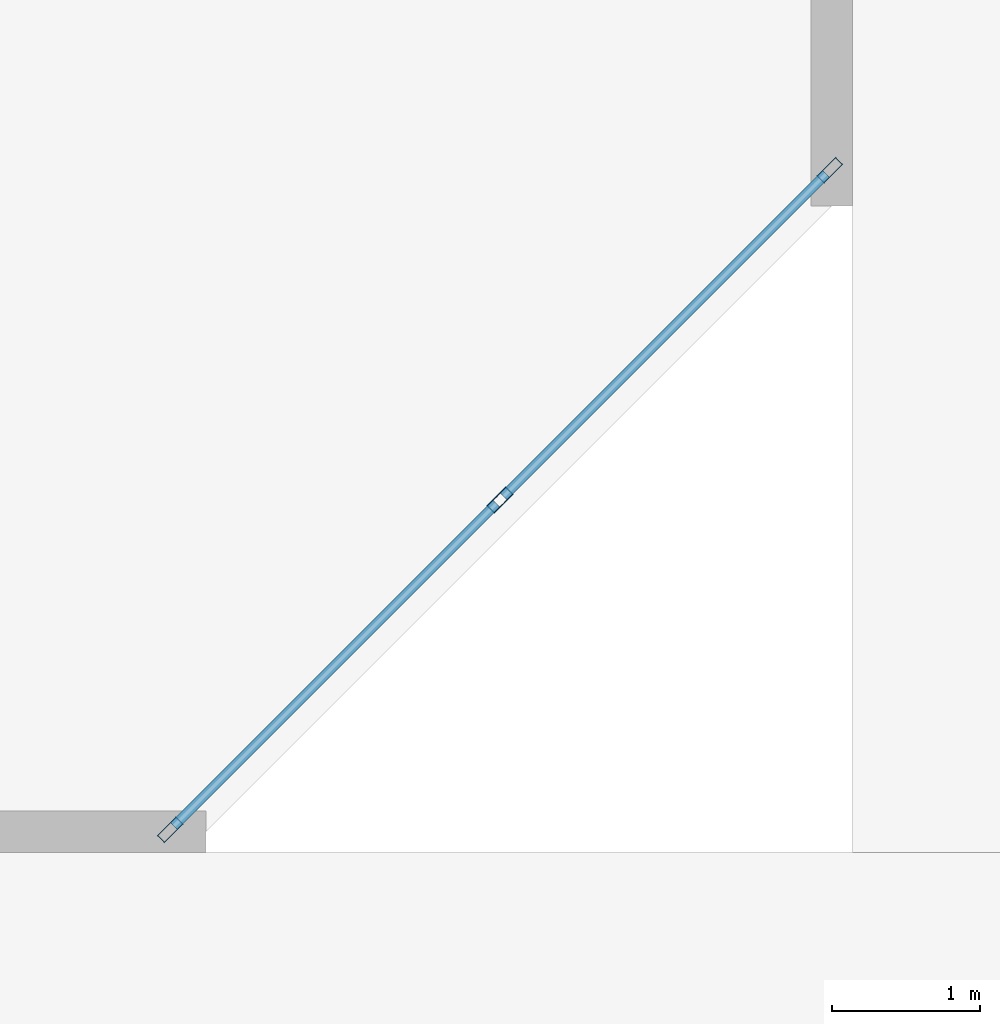
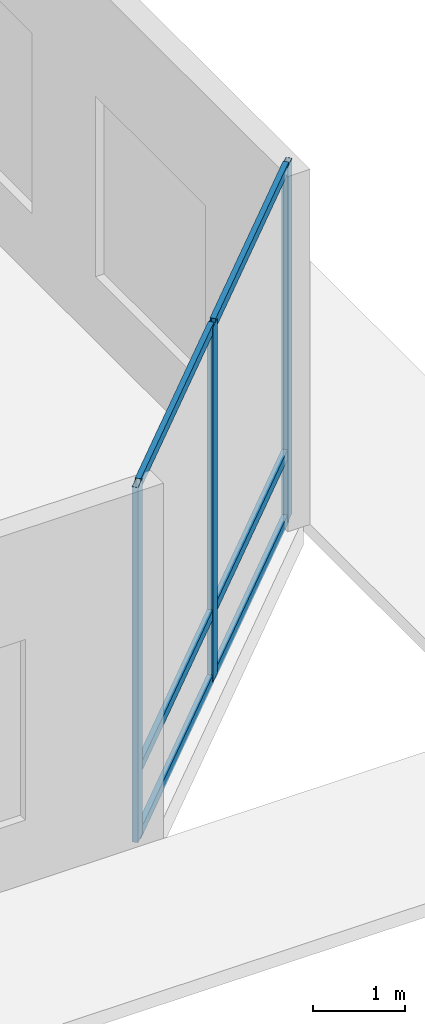
# One storey, part 6 of 23: 9 members, 1 element without a shape of its own.
"""IFC4 building model written with IfcOpenShell, lengths in metres."""

from ifc_helpers import new_model, si_unit, direction, frame, origin, origin_2d, place, context, subcontext, project, spatial, hollow_rectangle, extrude, material, layer, layer_set, material_profile, profile_set, type_object, element, aggregate, save


model = new_model("IFC4")

# Units and contexts
model_context = context("Model", 3, precision=1e-05, world=origin(), true_north=direction((0.0, 1.0)))
body_context = subcontext(model_context, "Body", "Model", "MODEL_VIEW")
ifc_project = project(units=[si_unit("LENGTHUNIT", "METRE"), si_unit("AREAUNIT", "SQUARE_METRE"), si_unit("VOLUMEUNIT", "CUBIC_METRE"), si_unit("PLANEANGLEUNIT", "RADIAN"), si_unit("MASSUNIT", "GRAM", prefix="KILO")], contexts=[model_context])

# Site, building, storey
site_placement = place(None, origin())
site = spatial("IfcSite", under=ifc_project, at=site_placement, CompositionType="ELEMENT")
building_placement = place(site_placement, origin())
building = spatial("IfcBuilding", under=site, at=building_placement, Name="Caelvoria Tower", CompositionType="ELEMENT")
storey_placement = place(building_placement, origin())
storey = spatial("IfcBuildingStorey", under=building, at=storey_placement, Name="L00", CompositionType="ELEMENT", Elevation=0.0)

# Curtain wall, members
ifc_material_1 = material(Name="Anodised Bronze Aluminium and Low-E Glass", Category="aluminium")
ifc_layer = layer(ifc_material_1, 0.199951171875, Name="Anodised Bronze Aluminium and Low-E Glass")
ifc_layer_set = layer_set([ifc_layer], Name="CW System 1 Podium Arcade Unitised Glazing - Anodised Bronze Aluminium and Low-E Glass")
curtain_wall_type = type_object("IfcCurtainWallType", Name="CW System 1 Podium Arcade Unitised Glazing", PredefinedType="NOTDEFINED", material=ifc_layer_set)
curtain_wall_placement = place(storey_placement, origin())
curtain_wall = element("IfcCurtainWall", 1, at=curtain_wall_placement, inside=storey, type_object=curtain_wall_type, Name="CW-01 Curtain Wall L00-E1", PredefinedType="NOTDEFINED")
ifc_material_2 = material(Name="Anodised Bronze Architectural Aluminium", Category="aluminium")
ifc_material_profile_1 = material_profile(ifc_material_2, hollow_rectangle(XDim=0.070068359375, YDim=0.179931640625, WallThickness=0.00390625, at=origin_2d()), Name="Anodised Bronze Architectural Aluminium")
ifc_profile_set_1 = profile_set([ifc_material_profile_1], Name="CW_MULL_70X180 - Anodised Bronze Architectural Aluminium")
member_type_1 = type_object("IfcMemberType", Name="Curtain Wall Mullion 70x180 Bronze Aluminium", PredefinedType="MULLION", material=ifc_profile_set_1)
member_1_placement = place(storey_placement, frame((85.3974609375, 2.152099609375, 0.0), z_axis=(0.0, 0.0, 1.0), x_axis=(-0.707106781187, 0.707106781187, 0.0)))
member_1 = element("IfcMember", 2, at=member_1_placement, type_object=member_type_1, Name="CW-01 mullion 1", PredefinedType="MULLION", context=body_context, shape_type="SweptSolid", body=[
    extrude(hollow_rectangle(XDim=0.070068359375, YDim=0.179931640625, WallThickness=0.00390625, at=origin_2d()), origin(), (0.0, 0.0, 1.0), 4.719970703125),
])
member_2_placement = place(storey_placement, frame((87.622802734375, 4.377197265625, 0.0), z_axis=(0.0, 0.0, 1.0), x_axis=(-0.707106781187, 0.707106781187, 0.0)))
member_2 = element("IfcMember", 3, at=member_2_placement, type_object=member_type_1, Name="CW-01 mullion 2", PredefinedType="MULLION", context=body_context, shape_type="SweptSolid", body=[
    extrude(hollow_rectangle(XDim=0.070068359375, YDim=0.179931640625, WallThickness=0.00390625, at=origin_2d()), origin(), (0.0, 0.0, 1.0), 4.719970703125),
])
member_3_placement = place(storey_placement, frame((89.847900390625, 6.6025390625, 0.0), z_axis=(0.0, 0.0, 1.0), x_axis=(-0.707106781187, 0.707106781187, 0.0)))
member_3 = element("IfcMember", 4, at=member_3_placement, type_object=member_type_1, Name="CW-01 mullion 3", PredefinedType="MULLION", context=body_context, shape_type="SweptSolid", body=[
    extrude(hollow_rectangle(XDim=0.070068359375, YDim=0.179931640625, WallThickness=0.00390625, at=origin_2d()), origin(), (0.0, 0.0, 1.0), 4.719970703125),
])
ifc_material_profile_2 = material_profile(ifc_material_2, hollow_rectangle(XDim=0.06494140625, YDim=0.1298828125, WallThickness=0.00341796875, at=origin_2d()), Name="Anodised Bronze Architectural Aluminium")
ifc_profile_set_2 = profile_set([ifc_material_profile_2], Name="CW_TRAN_65X130 - Anodised Bronze Architectural Aluminium")
member_type_2 = type_object("IfcMemberType", Name="Curtain Wall Transom 65x130 Bronze Aluminium", PredefinedType="USERDEFINED", material=ifc_profile_set_2)
member_4_placement = place(storey_placement, frame((85.422119140625, 2.1767578125, 0.032470703125), z_axis=(0.707106781187, 0.707106781187, 0.0), x_axis=(-0.707106781187, 0.707106781187, 0.0)))
member_4 = element("IfcMember", 5, at=member_4_placement, type_object=member_type_2, Name="CW-01 transom 1.1", ObjectType="TRANSOM", PredefinedType="USERDEFINED", context=body_context, shape_type="SweptSolid", body=[
    extrude(hollow_rectangle(XDim=0.06494140625, YDim=0.1298828125, WallThickness=0.00341796875, at=origin_2d()), origin(), (0.0, 0.0, 1.0), 3.076904296875),
])
member_5_placement = place(storey_placement, frame((85.422119140625, 2.1767578125, 0.89990234375), z_axis=(0.707106781187, 0.707106781187, 0.0), x_axis=(-0.707106781187, 0.707106781187, 0.0)))
member_5 = element("IfcMember", 6, at=member_5_placement, type_object=member_type_2, Name="CW-01 transom 1.2", ObjectType="TRANSOM", PredefinedType="USERDEFINED", context=body_context, shape_type="SweptSolid", body=[
    extrude(hollow_rectangle(XDim=0.06494140625, YDim=0.1298828125, WallThickness=0.00341796875, at=origin_2d()), origin(), (0.0, 0.0, 1.0), 3.076904296875),
])
member_6_placement = place(storey_placement, frame((85.422119140625, 2.1767578125, 4.6875), z_axis=(0.707106781187, 0.707106781187, 0.0), x_axis=(-0.707106781187, 0.707106781187, 0.0)))
member_6 = element("IfcMember", 7, at=member_6_placement, type_object=member_type_2, Name="CW-01 transom 1.3", ObjectType="TRANSOM", PredefinedType="USERDEFINED", context=body_context, shape_type="SweptSolid", body=[
    extrude(hollow_rectangle(XDim=0.06494140625, YDim=0.1298828125, WallThickness=0.00341796875, at=origin_2d()), origin(), (0.0, 0.0, 1.0), 3.076904296875),
])
member_7_placement = place(storey_placement, frame((87.6474609375, 4.402099609375, 0.032470703125), z_axis=(0.707106781187, 0.707106781187, 0.0), x_axis=(-0.707106781187, 0.707106781187, 0.0)))
member_7 = element("IfcMember", 8, at=member_7_placement, type_object=member_type_2, Name="CW-01 transom 2.1", ObjectType="TRANSOM", PredefinedType="USERDEFINED", context=body_context, shape_type="SweptSolid", body=[
    extrude(hollow_rectangle(XDim=0.06494140625, YDim=0.1298828125, WallThickness=0.00341796875, at=origin_2d()), origin(), (0.0, 0.0, 1.0), 3.076904296875),
])
member_8_placement = place(storey_placement, frame((87.6474609375, 4.402099609375, 0.89990234375), z_axis=(0.707106781187, 0.707106781187, 0.0), x_axis=(-0.707106781187, 0.707106781187, 0.0)))
member_8 = element("IfcMember", 9, at=member_8_placement, type_object=member_type_2, Name="CW-01 transom 2.2", ObjectType="TRANSOM", PredefinedType="USERDEFINED", context=body_context, shape_type="SweptSolid", body=[
    extrude(hollow_rectangle(XDim=0.06494140625, YDim=0.1298828125, WallThickness=0.00341796875, at=origin_2d()), origin(), (0.0, 0.0, 1.0), 3.076904296875),
])
member_9_placement = place(storey_placement, frame((87.6474609375, 4.402099609375, 4.6875), z_axis=(0.707106781187, 0.707106781187, 0.0), x_axis=(-0.707106781187, 0.707106781187, 0.0)))
member_9 = element("IfcMember", 10, at=member_9_placement, type_object=member_type_2, Name="CW-01 transom 2.3", ObjectType="TRANSOM", PredefinedType="USERDEFINED", context=body_context, shape_type="SweptSolid", body=[
    extrude(hollow_rectangle(XDim=0.06494140625, YDim=0.1298828125, WallThickness=0.00341796875, at=origin_2d()), origin(), (0.0, 0.0, 1.0), 3.076904296875),
])
aggregate(curtain_wall, [member_1, member_2, member_3, member_4, member_5, member_6, member_7, member_8, member_9])

save(model, "model.ifc")
